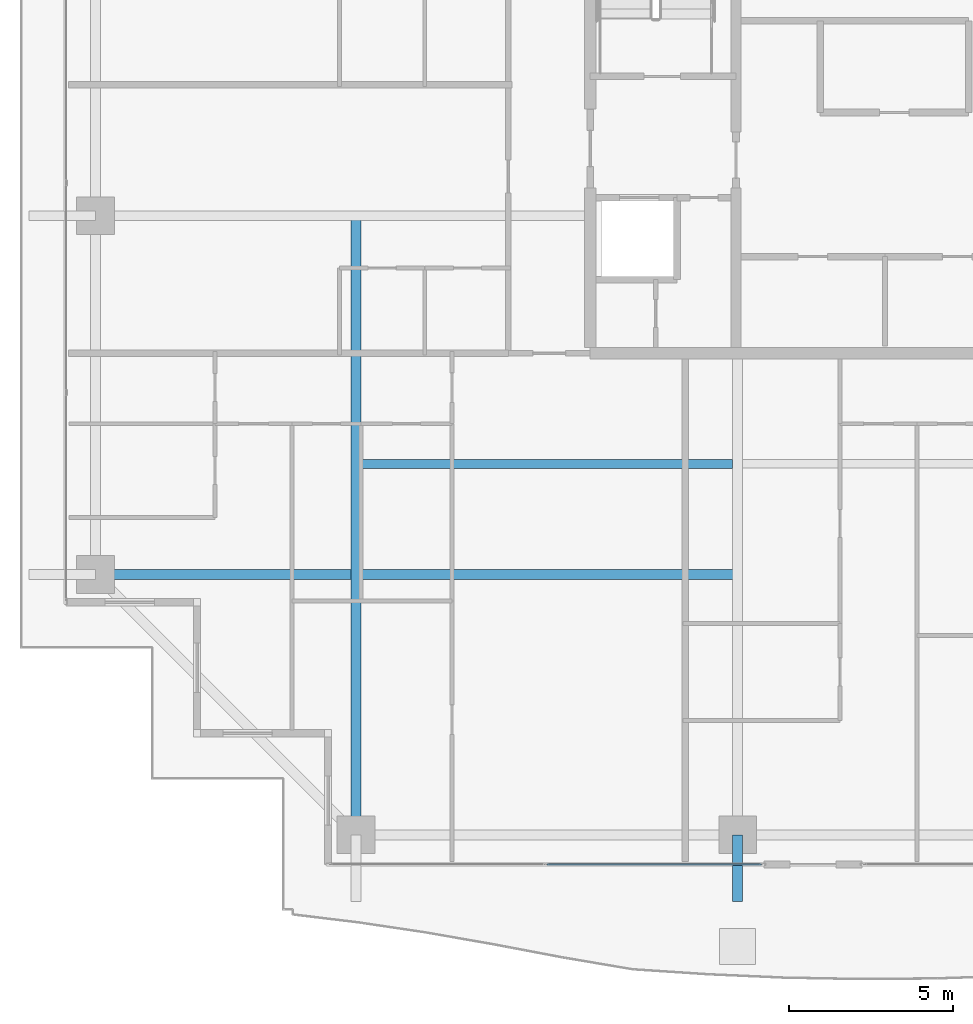
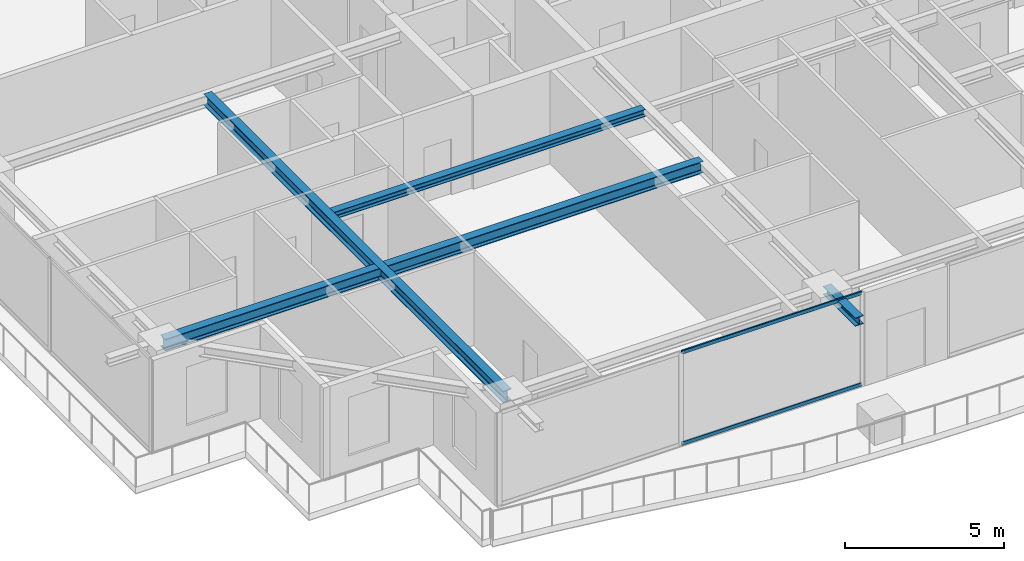
# One storey, part 4 of 37: 4 beams, 2 members, 1 element without a shape of its own.
"""IFC4 building model written with IfcOpenShell, lengths in metres."""

from ifc_helpers import new_model, si_unit, direction, frame, origin, origin_2d, place, context, subcontext, project, spatial, hollow_rectangle, i_section, extrude, source, transform, mapped, material, layer, layer_set, material_profile, profile_set, type_object, element, aggregate, save


model = new_model("IFC4")

# Units and contexts
model_context = context("Model", 3, precision=1e-05, world=origin(), true_north=direction((0.0, 1.0)))
body_context = subcontext(model_context, "Body", "Model", "MODEL_VIEW")
ifc_project = project(units=[si_unit("LENGTHUNIT", "METRE"), si_unit("AREAUNIT", "SQUARE_METRE"), si_unit("VOLUMEUNIT", "CUBIC_METRE"), si_unit("PLANEANGLEUNIT", "RADIAN"), si_unit("MASSUNIT", "GRAM", prefix="KILO")], contexts=[model_context])

# Site, building, storey
site_placement = place(None, origin())
site = spatial("IfcSite", under=ifc_project, at=site_placement, CompositionType="ELEMENT")
building_placement = place(site_placement, origin())
building = spatial("IfcBuilding", under=site, at=building_placement, Name="Serunith Strait Residences", CompositionType="ELEMENT")
storey_placement = place(building_placement, frame((0.0, 0.0, 275.89990234375)))
storey = spatial("IfcBuildingStorey", under=building, at=storey_placement, Name="L69", CompositionType="ELEMENT", Elevation=275.89990234375)

# Beams
ifc_material_1 = material(Name="Steel S355J2", Category="steel")
ifc_material_profile_1 = material_profile(ifc_material_1, i_section(OverallWidth=0.300048828125, OverallDepth=0.449951171875, WebThickness=0.013916015625, FlangeThickness=0.02587890625, FilletRadius=0.027099609375, at=origin_2d()), Name="HEB 450")
ifc_profile_set_1 = profile_set([ifc_material_profile_1], Name="Steel S355J2")
beam_type_1 = type_object("IfcBeamType", Name="BM-HEB450", PredefinedType="BEAM", material=ifc_profile_set_1)
shared_shape_1 = source(origin(), body_context, "Body", "SweptSolid", [
    extrude(i_section(OverallWidth=0.300048828125, OverallDepth=0.449951171875, WebThickness=0.013916015625, FlangeThickness=0.02587890625, FilletRadius=0.027099609375, at=origin_2d()), origin(), (0.0, 0.0, 1.0), 18.89990234375),
])
beam_1_placement = place(storey_placement, frame((16.25, 21.0, 3.362060546875), z_axis=(0.0, -1.0, 0.0), x_axis=(1.0, 0.0, 0.0)))
element("IfcBeam", 1, at=beam_1_placement, inside=storey, type_object=beam_type_1, Name="L69 Orthogonal Corner Girder TC-S1", PredefinedType="BEAM", context=body_context, shape_type="MappedRepresentation", body=[
    mapped(shared_shape_1, transform((0.0, 0.0, 0.0), scale=1.0)),
])
shared_shape_2 = source(origin(), body_context, "Body", "SweptSolid", [
    extrude(i_section(OverallWidth=0.300048828125, OverallDepth=0.449951171875, WebThickness=0.013916015625, FlangeThickness=0.02587890625, FilletRadius=0.027099609375, at=origin_2d()), origin(), (0.0, 0.0, 1.0), 19.599853515625),
])
beam_2_placement = place(storey_placement, frame((27.89990234375, 10.050048828125, 3.362060546875), z_axis=(-1.0, 0.0, 0.0), x_axis=(0.0, -1.0, 0.0)))
element("IfcBeam", 2, at=beam_2_placement, inside=storey, type_object=beam_type_1, Name="L69 Orthogonal Corner Girder TC-W1", PredefinedType="BEAM", context=body_context, shape_type="MappedRepresentation", body=[
    mapped(shared_shape_2, transform((0.0, 0.0, 0.0), scale=1.0)),
])
ifc_material_profile_2 = material_profile(ifc_material_1, i_section(OverallWidth=0.300048828125, OverallDepth=0.320068359375, WebThickness=0.011474609375, FlangeThickness=0.0205078125, FilletRadius=0.027099609375, at=origin_2d()), Name="HEB 320")
ifc_profile_set_2 = profile_set([ifc_material_profile_2], Name="Steel S355J2")
beam_type_2 = type_object("IfcBeamType", Name="BM-HEB320", PredefinedType="BEAM", material=ifc_profile_set_2)
shared_shape_3 = source(origin(), body_context, "Body", "SweptSolid", [
    extrude(i_section(OverallWidth=0.300048828125, OverallDepth=0.320068359375, WebThickness=0.011474609375, FlangeThickness=0.0205078125, FilletRadius=0.027099609375, at=origin_2d()), origin(), (0.0, 0.0, 1.0), 2.030029296875),
])
beam_3_placement = place(storey_placement, frame((27.89990234375, 2.10009765625, 3.397216796875), z_axis=(0.0, -1.0, 0.0), x_axis=(1.0, 0.0, 0.0)))
element("IfcBeam", 3, at=beam_3_placement, inside=storey, type_object=beam_type_2, Name="L70 Cantilevered Balcony Rib TC-S2", PredefinedType="BEAM", context=body_context, shape_type="MappedRepresentation", body=[
    mapped(shared_shape_3, transform((0.0, 0.0, 0.0), scale=1.0)),
])
ifc_material_profile_3 = material_profile(ifc_material_1, i_section(OverallWidth=0.280029296875, OverallDepth=0.280029296875, WebThickness=0.010498046875, FlangeThickness=0.01806640625, FilletRadius=0.02392578125, at=origin_2d()), Name="HEB 280")
ifc_profile_set_3 = profile_set([ifc_material_profile_3], Name="Steel S355J2")
beam_type_3 = type_object("IfcBeamType", Name="BM-HEB280", PredefinedType="JOIST", material=ifc_profile_set_3)
shared_shape_4 = source(origin(), body_context, "Body", "SweptSolid", [
    extrude(i_section(OverallWidth=0.280029296875, OverallDepth=0.280029296875, WebThickness=0.010498046875, FlangeThickness=0.01806640625, FilletRadius=0.02392578125, at=origin_2d()), origin(), (0.0, 0.0, 1.0), 11.35009765625),
])
beam_4_placement = place(storey_placement, frame((16.39990234375, 13.425048828125, 3.447021484375), z_axis=(1.0, 0.0, 0.0), x_axis=(0.0, 1.0, 0.0)))
element("IfcBeam", 4, at=beam_4_placement, inside=storey, type_object=beam_type_3, Name="L69 Composite Floor Joist 01", PredefinedType="JOIST", context=body_context, shape_type="MappedRepresentation", body=[
    mapped(shared_shape_4, transform((0.0, 0.0, 0.0), scale=1.0)),
])

# Curtain wall, members
ifc_material_2 = material(Name="Pale-Champagne Anodised Aluminium", Category="aluminium")
ifc_layer = layer(ifc_material_2, 0.199951171875, Name="Pale-Champagne Anodised Aluminium")
ifc_layer_set = layer_set([ifc_layer], Name="Pale-Champagne Anodised Aluminium")
curtain_wall_type = type_object("IfcCurtainWallType", Name="CW-SYS4", PredefinedType="NOTDEFINED", material=ifc_layer_set)
curtain_wall_placement = place(storey_placement, origin())
curtain_wall = element("IfcCurtainWall", 5, at=curtain_wall_placement, inside=storey, type_object=curtain_wall_type, Name="L69 S Unitised Fritted Curtain Wall", PredefinedType="NOTDEFINED")
ifc_material_profile_4 = material_profile(ifc_material_2, hollow_rectangle(XDim=0.06005859375, YDim=0.139892578125, WallThickness=0.00341796875, InnerFilletRadius=0.00537109375, OuterFilletRadius=0.0087890625, at=origin_2d()), Name="ALU 140x60x3.5")
ifc_profile_set_4 = profile_set([ifc_material_profile_4], Name="Pale-Champagne Anodised Aluminium")
member_type = type_object("IfcMemberType", Name="CW-SYS4-TRAN", PredefinedType="USERDEFINED", material=ifc_profile_set_4)
shared_shape_5 = source(origin(), body_context, "Body", "SweptSolid", [
    extrude(hollow_rectangle(XDim=0.06005859375, YDim=0.139892578125, WallThickness=0.00341796875, InnerFilletRadius=0.00537109375, OuterFilletRadius=0.0087890625, at=origin_2d()), origin(), (0.0, 0.0, 1.0), 6.552490234375),
])
member_1_placement = place(storey_placement, frame((22.08251953125, 1.199951171875, 0.030029296875), z_axis=(1.0, 0.0, 0.0), x_axis=(0.0, 1.0, 0.0)))
member_1 = element("IfcMember", 6, at=member_1_placement, type_object=member_type, Name="CW-4 transom 2.1", ObjectType="TRANSOM", PredefinedType="USERDEFINED", context=body_context, shape_type="MappedRepresentation", body=[
    mapped(shared_shape_5, transform((0.0, 0.0, 0.0), scale=1.0)),
])
member_2_placement = place(storey_placement, frame((22.08251953125, 1.199951171875, 3.545166015625), z_axis=(1.0, 0.0, 0.0), x_axis=(0.0, 1.0, 0.0)))
member_2 = element("IfcMember", 7, at=member_2_placement, type_object=member_type, Name="CW-4 transom 2.2", ObjectType="TRANSOM", PredefinedType="USERDEFINED", context=body_context, shape_type="MappedRepresentation", body=[
    mapped(shared_shape_5, transform((0.0, 0.0, 0.0), scale=1.0)),
])
aggregate(curtain_wall, [member_1, member_2])

save(model, "model.ifc")
